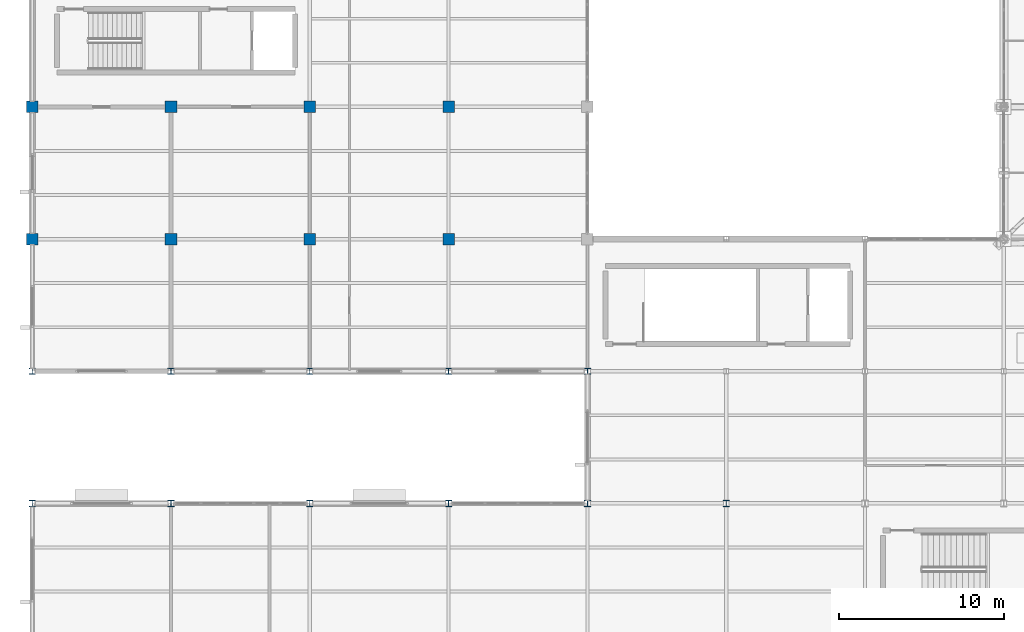
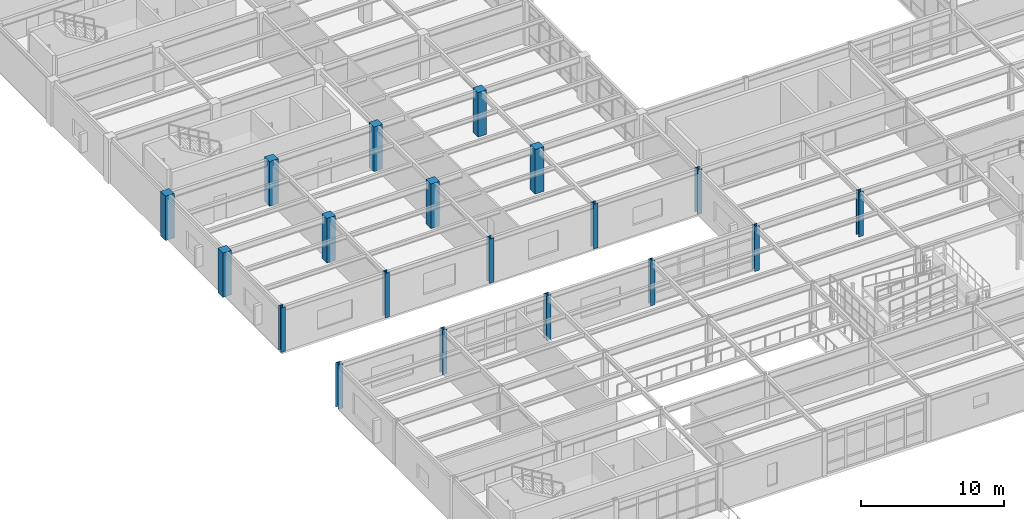
# One storey, part 4 of 138: 19 columns.
"""IFC4 building model written with IfcOpenShell, lengths in metres."""

from ifc_helpers import new_model, si_unit, direction, frame, origin, origin_2d, place, context, subcontext, project, spatial, rectangle, i_section, extrude, material, material_profile, profile_set, type_object, element, save


model = new_model("IFC4")

# Units and contexts
model_context = context("Model", 3, precision=1e-05, world=origin(), true_north=direction((0.0, 1.0)))
body_context = subcontext(model_context, "Body", "Model", "MODEL_VIEW")
ifc_project = project(units=[si_unit("LENGTHUNIT", "METRE"), si_unit("AREAUNIT", "SQUARE_METRE"), si_unit("VOLUMEUNIT", "CUBIC_METRE"), si_unit("PLANEANGLEUNIT", "RADIAN"), si_unit("MASSUNIT", "GRAM", prefix="KILO")], contexts=[model_context])

# Site, building, storey
site_placement = place(None, origin())
site = spatial("IfcSite", under=ifc_project, at=site_placement, CompositionType="ELEMENT")
building_placement = place(site_placement, origin())
building = spatial("IfcBuilding", under=site, at=building_placement, Name="Kranzveld Transit Interchange", CompositionType="ELEMENT")
storey_placement = place(building_placement, frame((0.0, 0.0, 5.43994140625)))
storey = spatial("IfcBuildingStorey", under=building, at=storey_placement, Name="L01", CompositionType="ELEMENT", Elevation=5.43994140625)

# Columns
ifc_material_1 = material(Name="Concrete C35/45", Category="concrete")
ifc_material_profile_1 = material_profile(ifc_material_1, rectangle(XDim=0.699951171875, YDim=0.699951171875, at=origin_2d()), Name="RC 700x700")
ifc_profile_set_1 = profile_set([ifc_material_profile_1], Name="Concrete C35/45")
column_type_1 = type_object("IfcColumnType", Name="Column RC 700x700 C35/45", PredefinedType="COLUMN", material=ifc_profile_set_1)
for number, where, z_axis, x_axis, name in (
    (1, (0.0, 56.0, 0.0), (0.0, 0.0, 1.0), (1.0, 0.0, 0.0), "L01 Column 01/H"),
    (2, (0.0, 64.0, 0.0), (0.0, 0.0, 1.0), (1.0, 0.0, 0.0), "L01 Column 01/J"),
    (3, (8.39990234375, 56.0, 0.0), (0.0, 0.0, 1.0), (1.0, 0.0, 0.0), "L01 Column 02/H"),
    (4, (8.39990234375, 64.0, 0.0), (0.0, 0.0, 1.0), (1.0, 0.0, 0.0), "L01 Column 02/J"),
    (5, (16.800048828125, 56.0, 0.0), (0.0, 0.0, 1.0), (1.0, 0.0, 0.0), "L01 Column 03/H"),
    (6, (16.800048828125, 64.0, 0.0), (0.0, 0.0, 1.0), (1.0, 0.0, 0.0), "L01 Column 03/J"),
    (7, (25.199951171875, 56.0, 0.0), (0.0, 0.0, 1.0), (1.0, 0.0, 0.0), "L01 Column 04/H"),
    (8, (25.199951171875, 64.0, 0.0), (0.0, 0.0, 1.0), (1.0, 0.0, 0.0), "L01 Column 04/J"),
):
    element("IfcColumn", number, at=place(storey_placement, frame(where, z_axis=z_axis, x_axis=x_axis)), inside=storey, type_object=column_type_1, Name=name, PredefinedType="COLUMN", context=body_context, shape_type="SweptSolid", body=[
        extrude(rectangle(XDim=0.699951171875, YDim=0.699951171875, at=origin_2d()), origin(), (0.0, 0.0, 1.0), 3.800048828125),
    ])
ifc_material_2 = material(Name="Steel S355JR", Category="steel")
ifc_material_profile_2 = material_profile(ifc_material_2, i_section(OverallWidth=0.374755859375, OverallDepth=0.37451171875, WebThickness=0.0166015625, FlangeThickness=0.027099609375, FilletRadius=0.01513671875, at=origin_2d()), Name="UC 356x368x202")
ifc_profile_set_2 = profile_set([ifc_material_profile_2], Name="Steel S355JR")
column_type_2 = type_object("IfcColumnType", Name="Column Steel UC 356x368x202 S355JR", PredefinedType="COLUMN", material=ifc_profile_set_2)
for number, where, z_axis, x_axis, name in (
    (9, (0.0, 40.0, 0.0), (0.0, 0.0, 1.0), (1.0, 0.0, 0.0), "L01 Column 01/F"),
    (10, (0.0, 48.0, 0.0), (0.0, 0.0, 1.0), (1.0, 0.0, 0.0), "L01 Column 01/G"),
    (11, (8.39990234375, 40.0, 0.0), (0.0, 0.0, 1.0), (1.0, 0.0, 0.0), "L01 Column 02/F"),
    (12, (8.39990234375, 48.0, 0.0), (0.0, 0.0, 1.0), (1.0, 0.0, 0.0), "L01 Column 02/G"),
    (13, (16.800048828125, 40.0, 0.0), (0.0, 0.0, 1.0), (1.0, 0.0, 0.0), "L01 Column 03/F"),
    (14, (16.800048828125, 48.0, 0.0), (0.0, 0.0, 1.0), (1.0, 0.0, 0.0), "L01 Column 03/G"),
    (15, (25.199951171875, 40.0, 0.0), (0.0, 0.0, 1.0), (1.0, 0.0, 0.0), "L01 Column 04/F"),
    (16, (25.199951171875, 48.0, 0.0), (0.0, 0.0, 1.0), (1.0, 0.0, 0.0), "L01 Column 04/G"),
    (17, (33.60009765625, 40.0, 0.0), (0.0, 0.0, 1.0), (1.0, 0.0, 0.0), "L01 Column 05/F"),
    (18, (33.60009765625, 48.0, 0.0), (0.0, 0.0, 1.0), (1.0, 0.0, 0.0), "L01 Column 05/G"),
    (19, (42.0, 40.0, 0.0), (0.0, 0.0, 1.0), (1.0, 0.0, 0.0), "L01 Column 06/F"),
):
    element("IfcColumn", number, at=place(storey_placement, frame(where, z_axis=z_axis, x_axis=x_axis)), inside=storey, type_object=column_type_2, Name=name, PredefinedType="COLUMN", context=body_context, shape_type="SweptSolid", body=[
        extrude(i_section(OverallWidth=0.374755859375, OverallDepth=0.37451171875, WebThickness=0.0166015625, FlangeThickness=0.027099609375, FilletRadius=0.01513671875, at=origin_2d()), origin(), (0.0, 0.0, 1.0), 3.800048828125),
    ])

save(model, "model.ifc")
